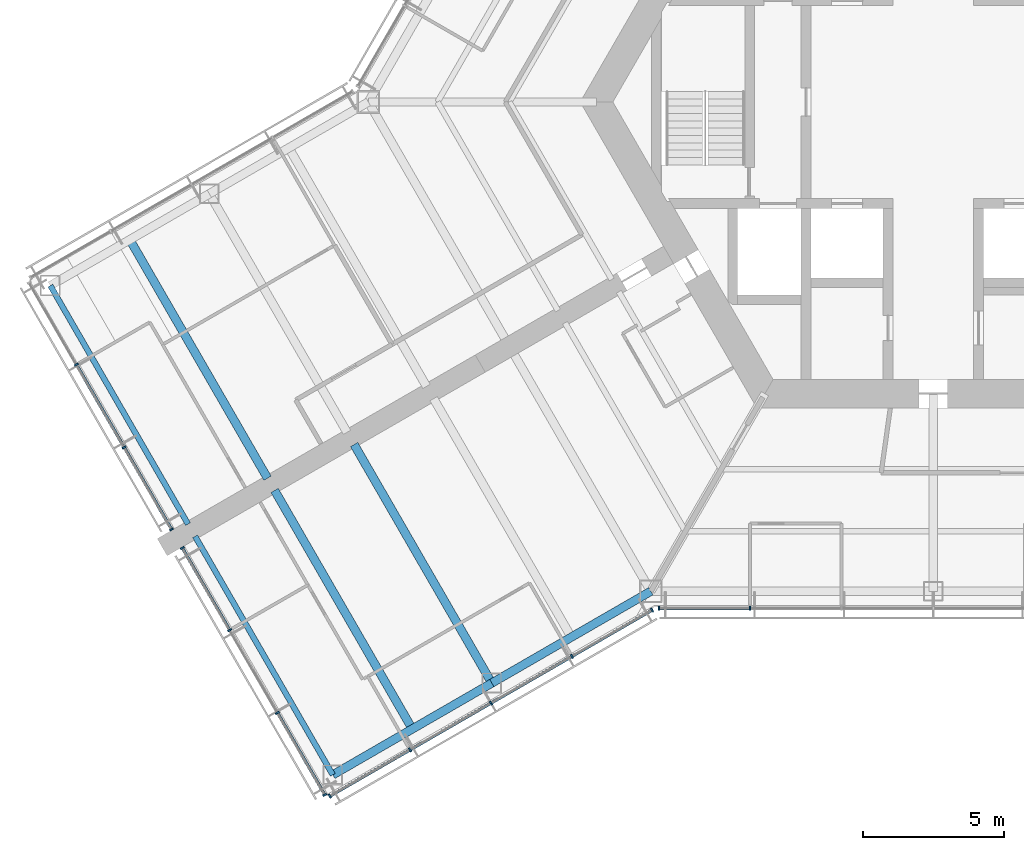
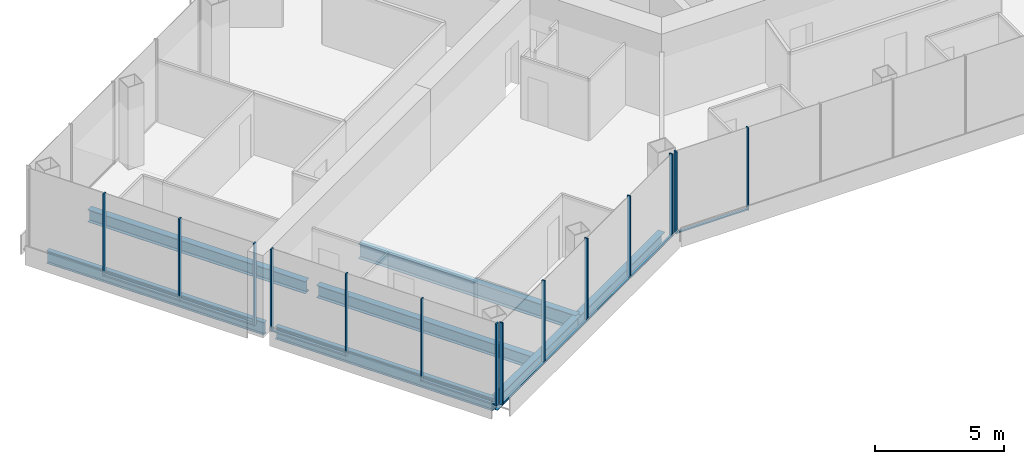
# One storey, part 2 of 18: 23 members, 7 beams, 4 elements without a shape of their own.
"""IFC4 building model written with IfcOpenShell, lengths in metres."""

from ifc_helpers import new_model, si_unit, direction, frame, origin, origin_2d, place, context, subcontext, project, spatial, rectangle, i_section, extrude, material, material_profile, profile_set, type_object, element, aggregate, save


model = new_model("IFC4")

# Units and contexts
model_context = context("Model", 3, precision=1e-05, world=origin(), true_north=direction((0.0, 1.0)))
body_context = subcontext(model_context, "Body", "Model", "MODEL_VIEW")
ifc_project = project(units=[si_unit("LENGTHUNIT", "METRE"), si_unit("AREAUNIT", "SQUARE_METRE"), si_unit("VOLUMEUNIT", "CUBIC_METRE"), si_unit("PLANEANGLEUNIT", "RADIAN"), si_unit("MASSUNIT", "GRAM", prefix="KILO")], contexts=[model_context])

# Site, building, storey
site_placement = place(None, origin())
site = spatial("IfcSite", under=ifc_project, at=site_placement, CompositionType="ELEMENT")
building_placement = place(site_placement, origin())
building = spatial("IfcBuilding", under=site, at=building_placement, Name="Kasaneha Research Tower", CompositionType="ELEMENT")
storey_placement = place(building_placement, frame((0.0, 0.0, 183.800048828125)))
storey = spatial("IfcBuildingStorey", under=building, at=storey_placement, Name="L46", CompositionType="ELEMENT", Elevation=183.800048828125)

# Beams
ifc_material_1 = material(Name="Steel SN490B", Category="steel")
ifc_material_profile_1 = material_profile(ifc_material_1, i_section(OverallWidth=0.300048828125, OverallDepth=0.58203125, WebThickness=0.011962890625, FlangeThickness=0.01708984375, FilletRadius=0.012939453125, at=origin_2d()), Name="H-582x300x12x17")
ifc_profile_set_1 = profile_set([ifc_material_profile_1], Name="Steel SN490B")
beam_type_1 = type_object("IfcBeamType", Name="B2-3 secondary beam H-582x300x12x17", PredefinedType="JOIST", material=ifc_profile_set_1)
for number, where, z_axis, x_axis, name in (
    (1, (-28.44384765625, -4.875, -0.441162109375), (0.499995560238, -0.866027967067, 0.0), (0.866027967067, 0.499995560238, 0.0), "Secondary beam WBBP2 L46"),
    (2, (-18.44384765625, -22.195556640625, -0.441162109375), (-0.499995560238, 0.866027967067, 0.0), (-0.866027967067, -0.499995560238, 0.0), "Secondary beam WBBN2 L46"),
):
    element("IfcBeam", number, at=place(storey_placement, frame(where, z_axis=z_axis, x_axis=x_axis)), inside=storey, type_object=beam_type_1, Name=name, PredefinedType="JOIST", context=body_context, shape_type="SweptSolid", body=[
        extrude(i_section(OverallWidth=0.300048828125, OverallDepth=0.58203125, WebThickness=0.011962890625, FlangeThickness=0.01708984375, FilletRadius=0.012939453125, at=origin_2d()), origin(), (0.0, 0.0, 1.0), 9.75),
    ])

# Curtain wall, members
ifc_material_2 = material(Name="Glass and aluminium", Category="aluminium")
curtain_wall_type = type_object("IfcCurtainWallType", Name="Mid-rise office curtain wall", PredefinedType="USERDEFINED", material=ifc_material_2)
curtain_wall_1_placement = place(storey_placement, origin())
curtain_wall_1 = element("IfcCurtainWall", 3, at=curtain_wall_1_placement, inside=storey, type_object=curtain_wall_type, Name="CW-O2 L46 run 01a", ObjectType="UNITISED CURTAIN WALL", PredefinedType="USERDEFINED")
ifc_material_3 = material(Name="Aluminium 6063-T6", Category="aluminium")
ifc_material_profile_2 = material_profile(ifc_material_3, rectangle(XDim=0.06005859375, YDim=0.14990234375, at=origin_2d()), Name="CW-O2 mullion 60x150")
ifc_profile_set_2 = profile_set([ifc_material_profile_2], Name="Aluminium 6063-T6")
member_type_1 = type_object("IfcMemberType", Name="CW-O2 mullion", PredefinedType="MULLION", material=ifc_profile_set_2)
member_1_placement = place(storey_placement, frame((-9.709228515625, -17.92041015625, 0.0), z_axis=(0.0, 0.0, 1.0), x_axis=(1.0, 0.0, 0.0)))
member_1 = element("IfcMember", 4, at=member_1_placement, type_object=member_type_1, Name="CW-O2 mullion 1", PredefinedType="MULLION", context=body_context, shape_type="SweptSolid", body=[
    extrude(rectangle(XDim=0.06005859375, YDim=0.14990234375, at=origin_2d()), origin(), (0.0, 0.0, 1.0), 3.89990234375),
])
member_2_placement = place(storey_placement, frame((-6.492919921875, -17.92041015625, 0.0), z_axis=(0.0, 0.0, 1.0), x_axis=(1.0, 0.0, 0.0)))
member_2 = element("IfcMember", 5, at=member_2_placement, type_object=member_type_1, Name="CW-O2 mullion 2", PredefinedType="MULLION", context=body_context, shape_type="SweptSolid", body=[
    extrude(rectangle(XDim=0.06005859375, YDim=0.14990234375, at=origin_2d()), origin(), (0.0, 0.0, 1.0), 3.89990234375),
])

curtain_wall_2_placement = place(storey_placement, origin())
curtain_wall_2 = element("IfcCurtainWall", 6, at=curtain_wall_2_placement, inside=storey, type_object=curtain_wall_type, Name="CW-O2 L46 run 10a", ObjectType="UNITISED CURTAIN WALL", PredefinedType="USERDEFINED")
member_3_placement = place(storey_placement, frame((-30.336181640625, -9.297119140625, 0.0), z_axis=(0.0, 0.0, 1.0), x_axis=(0.500000011442, -0.866025397178, 0.0)))
member_3 = element("IfcMember", 7, at=member_3_placement, type_object=member_type_1, Name="CW-O2 mullion 2", PredefinedType="MULLION", context=body_context, shape_type="SweptSolid", body=[
    extrude(rectangle(XDim=0.06005859375, YDim=0.14990234375, at=origin_2d()), origin(), (0.0, 0.0, 1.0), 3.89990234375),
])
member_4_placement = place(storey_placement, frame((-28.64453125, -12.22705078125, 0.0), z_axis=(0.0, 0.0, 1.0), x_axis=(0.500000011442, -0.866025397178, 0.0)))
member_4 = element("IfcMember", 8, at=member_4_placement, type_object=member_type_1, Name="CW-O2 mullion 3", PredefinedType="MULLION", context=body_context, shape_type="SweptSolid", body=[
    extrude(rectangle(XDim=0.06005859375, YDim=0.14990234375, at=origin_2d()), origin(), (0.0, 0.0, 1.0), 3.89990234375),
])
member_5_placement = place(storey_placement, frame((-26.968017578125, -15.131103515625, 0.0), z_axis=(0.0, 0.0, 1.0), x_axis=(0.500000011442, -0.866025397178, 0.0)))
member_5 = element("IfcMember", 9, at=member_5_placement, type_object=member_type_1, Name="CW-O2 mullion 4", PredefinedType="MULLION", context=body_context, shape_type="SweptSolid", body=[
    extrude(rectangle(XDim=0.06005859375, YDim=0.14990234375, at=origin_2d()), origin(), (0.0, 0.0, 1.0), 3.89990234375),
])

curtain_wall_3_placement = place(storey_placement, origin())
curtain_wall_3 = element("IfcCurtainWall", 10, at=curtain_wall_3_placement, inside=storey, type_object=curtain_wall_type, Name="CW-O2 L46 run 11a", ObjectType="UNITISED CURTAIN WALL", PredefinedType="USERDEFINED")
member_6_placement = place(storey_placement, frame((-26.587890625, -15.789306640625, 0.0), z_axis=(0.0, 0.0, 1.0), x_axis=(0.500000011442, -0.866025397178, 0.0)))
member_6 = element("IfcMember", 11, at=member_6_placement, type_object=member_type_1, Name="CW-O2 mullion 1", PredefinedType="MULLION", context=body_context, shape_type="SweptSolid", body=[
    extrude(rectangle(XDim=0.06005859375, YDim=0.14990234375, at=origin_2d()), origin(), (0.0, 0.0, 1.0), 3.89990234375),
])
member_7_placement = place(storey_placement, frame((-24.911376953125, -18.693359375, 0.0), z_axis=(0.0, 0.0, 1.0), x_axis=(0.500000011442, -0.866025397178, 0.0)))
member_7 = element("IfcMember", 12, at=member_7_placement, type_object=member_type_1, Name="CW-O2 mullion 2", PredefinedType="MULLION", context=body_context, shape_type="SweptSolid", body=[
    extrude(rectangle(XDim=0.06005859375, YDim=0.14990234375, at=origin_2d()), origin(), (0.0, 0.0, 1.0), 3.89990234375),
])
member_8_placement = place(storey_placement, frame((-23.2197265625, -21.62353515625, 0.0), z_axis=(0.0, 0.0, 1.0), x_axis=(0.500000011442, -0.866025397178, 0.0)))
member_8 = element("IfcMember", 13, at=member_8_placement, type_object=member_type_1, Name="CW-O2 mullion 3", PredefinedType="MULLION", context=body_context, shape_type="SweptSolid", body=[
    extrude(rectangle(XDim=0.06005859375, YDim=0.14990234375, at=origin_2d()), origin(), (0.0, 0.0, 1.0), 3.89990234375),
])
member_9_placement = place(storey_placement, frame((-21.54296875, -24.527587890625, 0.0), z_axis=(0.0, 0.0, 1.0), x_axis=(0.500000011442, -0.866025397178, 0.0)))
member_9 = element("IfcMember", 14, at=member_9_placement, type_object=member_type_1, Name="CW-O2 mullion 4", PredefinedType="MULLION", context=body_context, shape_type="SweptSolid", body=[
    extrude(rectangle(XDim=0.06005859375, YDim=0.14990234375, at=origin_2d()), origin(), (0.0, 0.0, 1.0), 3.89990234375),
])

curtain_wall_4_placement = place(storey_placement, origin())
curtain_wall_4 = element("IfcCurtainWall", 15, at=curtain_wall_4_placement, inside=storey, type_object=curtain_wall_type, Name="CW-O2 L46 run 12a", ObjectType="UNITISED CURTAIN WALL", PredefinedType="USERDEFINED")
member_10_placement = place(storey_placement, frame((-21.365478515625, -24.5751953125, 0.0), z_axis=(0.0, 0.0, 1.0), x_axis=(0.866025411464, 0.499999986699, 0.0)))
member_10 = element("IfcMember", 16, at=member_10_placement, type_object=member_type_1, Name="CW-O2 mullion 1", PredefinedType="MULLION", context=body_context, shape_type="SweptSolid", body=[
    extrude(rectangle(XDim=0.06005859375, YDim=0.14990234375, at=origin_2d()), origin(), (0.0, 0.0, 1.0), 3.89990234375),
])
member_11_placement = place(storey_placement, frame((-18.52490234375, -22.935302734375, 0.0), z_axis=(0.0, 0.0, 1.0), x_axis=(0.866025411464, 0.499999986699, 0.0)))
member_11 = element("IfcMember", 17, at=member_11_placement, type_object=member_type_1, Name="CW-O2 mullion 2", PredefinedType="MULLION", context=body_context, shape_type="SweptSolid", body=[
    extrude(rectangle(XDim=0.06005859375, YDim=0.14990234375, at=origin_2d()), origin(), (0.0, 0.0, 1.0), 3.89990234375),
])
member_12_placement = place(storey_placement, frame((-15.65869140625, -21.2802734375, 0.0), z_axis=(0.0, 0.0, 1.0), x_axis=(0.866025411464, 0.499999986699, 0.0)))
member_12 = element("IfcMember", 18, at=member_12_placement, type_object=member_type_1, Name="CW-O2 mullion 3", PredefinedType="MULLION", context=body_context, shape_type="SweptSolid", body=[
    extrude(rectangle(XDim=0.06005859375, YDim=0.14990234375, at=origin_2d()), origin(), (0.0, 0.0, 1.0), 3.89990234375),
])
member_13_placement = place(storey_placement, frame((-12.792236328125, -19.62548828125, 0.0), z_axis=(0.0, 0.0, 1.0), x_axis=(0.866025411464, 0.499999986699, 0.0)))
member_13 = element("IfcMember", 19, at=member_13_placement, type_object=member_type_1, Name="CW-O2 mullion 4", PredefinedType="MULLION", context=body_context, shape_type="SweptSolid", body=[
    extrude(rectangle(XDim=0.06005859375, YDim=0.14990234375, at=origin_2d()), origin(), (0.0, 0.0, 1.0), 3.89990234375),
])
member_14_placement = place(storey_placement, frame((-9.951904296875, -17.985595703125, 0.0), z_axis=(0.0, 0.0, 1.0), x_axis=(0.866025411464, 0.499999986699, 0.0)))
member_14 = element("IfcMember", 20, at=member_14_placement, type_object=member_type_1, Name="CW-O2 mullion 5", PredefinedType="MULLION", context=body_context, shape_type="SweptSolid", body=[
    extrude(rectangle(XDim=0.06005859375, YDim=0.14990234375, at=origin_2d()), origin(), (0.0, 0.0, 1.0), 3.89990234375),
])

# Member
ifc_material_4 = material(Name="Aluminium 6063-T6", Category="aluminium")
ifc_material_profile_3 = material_profile(ifc_material_4, rectangle(XDim=0.110107421875, YDim=0.06005859375, at=origin_2d()), Name="CW-O2 transom 110x60")
ifc_profile_set_3 = profile_set([ifc_material_profile_3], Name="Aluminium 6063-T6")
member_type_2 = type_object("IfcMemberType", Name="CW-O2 transom", PredefinedType="USERDEFINED", material=ifc_profile_set_3)
member_15_placement = place(storey_placement, frame((-9.67919921875, -17.92041015625, 0.030029296875), z_axis=(1.0, 0.0, 0.0), x_axis=(0.0, 1.0, 0.0)))
member_15 = element("IfcMember", 21, at=member_15_placement, type_object=member_type_2, Name="CW-O2 transom 1", ObjectType="TRANSOM", PredefinedType="USERDEFINED", context=body_context, shape_type="SweptSolid", body=[
    extrude(rectangle(XDim=0.110107421875, YDim=0.06005859375, at=origin_2d()), origin(), (0.0, 0.0, 1.0), 3.156494140625),
])

aggregate(curtain_wall_1, [member_1, member_2, member_15])

member_16_placement = place(storey_placement, frame((-30.3212890625, -9.322998046875, 0.030029296875), z_axis=(0.499978935311, -0.866037565146, 0.0), x_axis=(0.866037565146, 0.499978935311, 0.0)))
member_16 = element("IfcMember", 22, at=member_16_placement, type_object=member_type_2, Name="CW-O2 transom 2", ObjectType="TRANSOM", PredefinedType="USERDEFINED", context=body_context, shape_type="SweptSolid", body=[
    extrude(rectangle(XDim=0.110107421875, YDim=0.06005859375, at=origin_2d()), origin(), (0.0, 0.0, 1.0), 3.323486328125),
])

member_17_placement = place(storey_placement, frame((-28.629638671875, -12.253173828125, 0.030029296875), z_axis=(0.500021914551, -0.866012751043, 0.0), x_axis=(0.866012751043, 0.500021914551, 0.0)))
member_17 = element("IfcMember", 23, at=member_17_placement, type_object=member_type_2, Name="CW-O2 transom 3", ObjectType="TRANSOM", PredefinedType="USERDEFINED", context=body_context, shape_type="SweptSolid", body=[
    extrude(rectangle(XDim=0.110107421875, YDim=0.06005859375, at=origin_2d()), origin(), (0.0, 0.0, 1.0), 3.293212890625),
])

aggregate(curtain_wall_2, [member_3, member_4, member_5, member_16, member_17])

member_18_placement = place(storey_placement, frame((-26.572998046875, -15.8154296875, 0.030029296875), z_axis=(0.500021914551, -0.866012751043, 0.0), x_axis=(0.866012751043, 0.500021914551, 0.0)))
member_18 = element("IfcMember", 24, at=member_18_placement, type_object=member_type_2, Name="CW-O2 transom 1", ObjectType="TRANSOM", PredefinedType="USERDEFINED", context=body_context, shape_type="SweptSolid", body=[
    extrude(rectangle(XDim=0.110107421875, YDim=0.06005859375, at=origin_2d()), origin(), (0.0, 0.0, 1.0), 3.293212890625),
])

member_19_placement = place(storey_placement, frame((-23.20458984375, -21.6494140625, 0.030029296875), z_axis=(0.500021914551, -0.866012751043, 0.0), x_axis=(0.866012751043, 0.500021914551, 0.0)))
member_19 = element("IfcMember", 25, at=member_19_placement, type_object=member_type_2, Name="CW-O2 transom 3", ObjectType="TRANSOM", PredefinedType="USERDEFINED", context=body_context, shape_type="SweptSolid", body=[
    extrude(rectangle(XDim=0.110107421875, YDim=0.06005859375, at=origin_2d()), origin(), (0.0, 0.0, 1.0), 3.293212890625),
])

aggregate(curtain_wall_3, [member_6, member_7, member_8, member_9, member_18, member_19])

member_20_placement = place(storey_placement, frame((-21.33935546875, -24.56005859375, 0.030029296875), z_axis=(0.866022692473, 0.500004696101, 0.0), x_axis=(-0.500004696101, 0.866022692473, 0.0)))
member_20 = element("IfcMember", 26, at=member_20_placement, type_object=member_type_2, Name="CW-O2 transom 1", ObjectType="TRANSOM", PredefinedType="USERDEFINED", context=body_context, shape_type="SweptSolid", body=[
    extrude(rectangle(XDim=0.110107421875, YDim=0.06005859375, at=origin_2d()), origin(), (0.0, 0.0, 1.0), 3.2197265625),
])

member_21_placement = place(storey_placement, frame((-18.4990234375, -22.920166015625, 0.030029296875), z_axis=(0.86604797581, 0.499960902066, 0.0), x_axis=(-0.499960902066, 0.86604797581, 0.0)))
member_21 = element("IfcMember", 27, at=member_21_placement, type_object=member_type_2, Name="CW-O2 transom 2", ObjectType="TRANSOM", PredefinedType="USERDEFINED", context=body_context, shape_type="SweptSolid", body=[
    extrude(rectangle(XDim=0.110107421875, YDim=0.06005859375, at=origin_2d()), origin(), (0.0, 0.0, 1.0), 3.249755859375),
])

member_22_placement = place(storey_placement, frame((-15.632568359375, -21.265380859375, 0.030029296875), z_axis=(0.866015446554, 0.500017246033, 0.0), x_axis=(-0.500017246033, 0.866015446554, 0.0)))
member_22 = element("IfcMember", 28, at=member_22_placement, type_object=member_type_2, Name="CW-O2 transom 3", ObjectType="TRANSOM", PredefinedType="USERDEFINED", context=body_context, shape_type="SweptSolid", body=[
    extrude(rectangle(XDim=0.110107421875, YDim=0.06005859375, at=origin_2d()), origin(), (0.0, 0.0, 1.0), 3.25),
])

member_23_placement = place(storey_placement, frame((-12.76611328125, -19.6103515625, 0.030029296875), z_axis=(0.866022692473, 0.500004696101, 0.0), x_axis=(-0.500004696101, 0.866022692473, 0.0)))
member_23 = element("IfcMember", 29, at=member_23_placement, type_object=member_type_2, Name="CW-O2 transom 4", ObjectType="TRANSOM", PredefinedType="USERDEFINED", context=body_context, shape_type="SweptSolid", body=[
    extrude(rectangle(XDim=0.110107421875, YDim=0.06005859375, at=origin_2d()), origin(), (0.0, 0.0, 1.0), 3.2197265625),
])

aggregate(curtain_wall_4, [member_10, member_11, member_12, member_13, member_14, member_20, member_21, member_22, member_23])

# Beams
ifc_material_5 = material(Name="Steel SN490B", Category="steel")
ifc_material_profile_4 = material_profile(ifc_material_5, i_section(OverallWidth=0.300048828125, OverallDepth=0.699951171875, WebThickness=0.012939453125, FlangeThickness=0.02392578125, FilletRadius=0.01806640625, at=origin_2d()), Name="H-700x300x13x24")
ifc_profile_set_4 = profile_set([ifc_material_profile_4], Name="Steel SN490B")
beam_type_2 = type_object("IfcBeamType", Name="G4-3 wing girder H-700x300x13x24", PredefinedType="BEAM", material=ifc_profile_set_4)
beam_placement = place(storey_placement, frame((-15.629150390625, -20.570556640625, -0.5), z_axis=(-0.499995560238, 0.866027967067, 0.0), x_axis=(-0.866027967067, -0.499995560238, 0.0)))
element("IfcBeam", 30, at=beam_placement, inside=storey, type_object=beam_type_2, Name="Wing girder WGBN L46", PredefinedType="BEAM", context=body_context, shape_type="SweptSolid", body=[
    extrude(i_section(OverallWidth=0.300048828125, OverallDepth=0.699951171875, WebThickness=0.012939453125, FlangeThickness=0.02392578125, FilletRadius=0.01806640625, at=origin_2d()), origin(), (0.0, 0.0, 1.0), 9.75),
])
ifc_material_6 = material(Name="Steel SN490B", Category="steel")
ifc_material_profile_5 = material_profile(ifc_material_6, i_section(OverallWidth=0.300048828125, OverallDepth=0.58203125, WebThickness=0.011962890625, FlangeThickness=0.01708984375, FilletRadius=0.012939453125, at=origin_2d()), Name="H-582x300x12x17")
ifc_profile_set_5 = profile_set([ifc_material_profile_5], Name="Steel SN490B")
beam_type_3 = type_object("IfcBeamType", Name="SB2-3 spandrel beam H-582x300x12x17", PredefinedType="SPANDREL", material=ifc_profile_set_5)
for number, where, z_axis, x_axis, name in (
    (31, (-10.0, -17.320556640625, -0.441162109375), (-0.866024837091, -0.50000098154, 0.0), (0.50000098154, -0.866024837091, 0.0), "Spandrel beam WSBN1 L46"),
    (32, (-15.629150390625, -20.570556640625, -0.441162109375), (-0.866024837091, -0.50000098154, 0.0), (0.50000098154, -0.866024837091, 0.0), "Spandrel beam WSBN2 L46"),
):
    element("IfcBeam", number, at=place(storey_placement, frame(where, z_axis=z_axis, x_axis=x_axis)), inside=storey, type_object=beam_type_3, Name=name, PredefinedType="SPANDREL", context=body_context, shape_type="SweptSolid", body=[
        extrude(i_section(OverallWidth=0.300048828125, OverallDepth=0.58203125, WebThickness=0.011962890625, FlangeThickness=0.01708984375, FilletRadius=0.012939453125, at=origin_2d()), origin(), (0.0, 0.0, 1.0), 6.5),
    ])
ifc_material_7 = material(Name="Steel SN490B", Category="steel")
ifc_material_profile_6 = material_profile(ifc_material_7, i_section(OverallWidth=0.199951171875, OverallDepth=0.60009765625, WebThickness=0.010986328125, FlangeThickness=0.01708984375, FilletRadius=0.012939453125, at=origin_2d()), Name="H-600x200x11x17")
ifc_profile_set_6 = profile_set([ifc_material_profile_6], Name="Steel SN490B")
beam_type_4 = type_object("IfcBeamType", Name="SB3-3 spandrel beam H-600x200x11x17", PredefinedType="SPANDREL", material=ifc_profile_set_6)
for number, where, z_axis, x_axis, name in (
    (33, (-31.25830078125, -6.5, -0.449951171875), (0.499995560238, -0.866027967067, 0.0), (0.866027967067, 0.499995560238, 0.0), "Spandrel beam WTBP L46"),
    (34, (-21.25830078125, -23.820556640625, -0.449951171875), (-0.499995560238, 0.866027967067, 0.0), (-0.866027967067, -0.499995560238, 0.0), "Spandrel beam WTBN L46"),
):
    element("IfcBeam", number, at=place(storey_placement, frame(where, z_axis=z_axis, x_axis=x_axis)), inside=storey, type_object=beam_type_4, Name=name, PredefinedType="SPANDREL", context=body_context, shape_type="SweptSolid", body=[
        extrude(i_section(OverallWidth=0.199951171875, OverallDepth=0.60009765625, WebThickness=0.010986328125, FlangeThickness=0.01708984375, FilletRadius=0.012939453125, at=origin_2d()), origin(), (0.0, 0.0, 1.0), 9.75),
    ])

save(model, "model.ifc")
